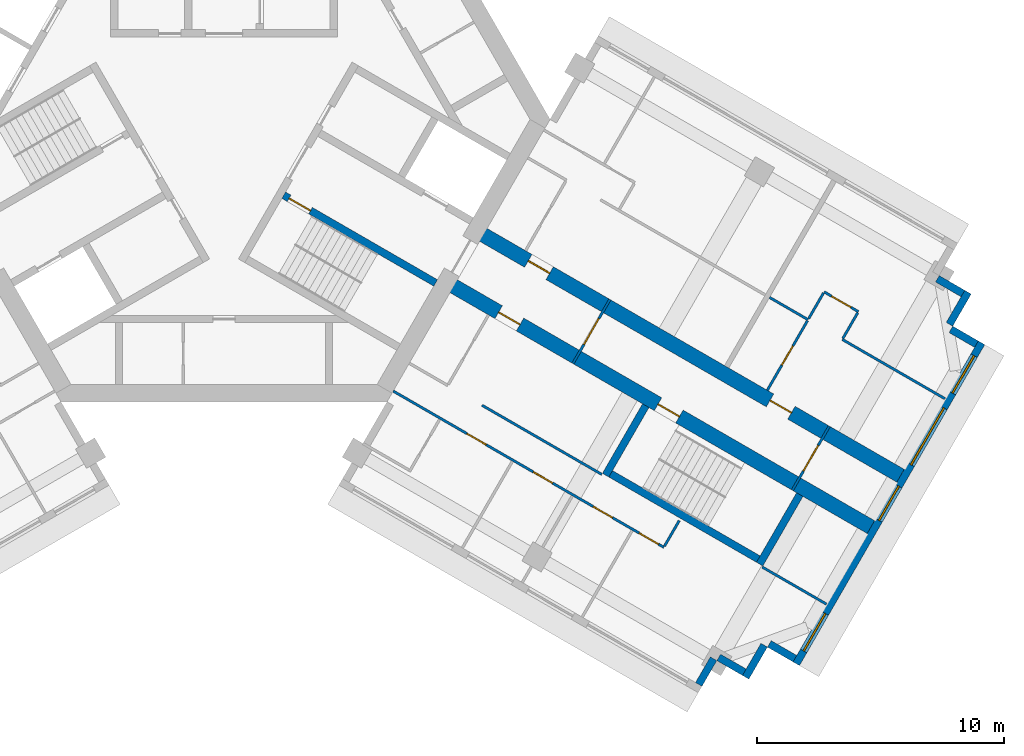
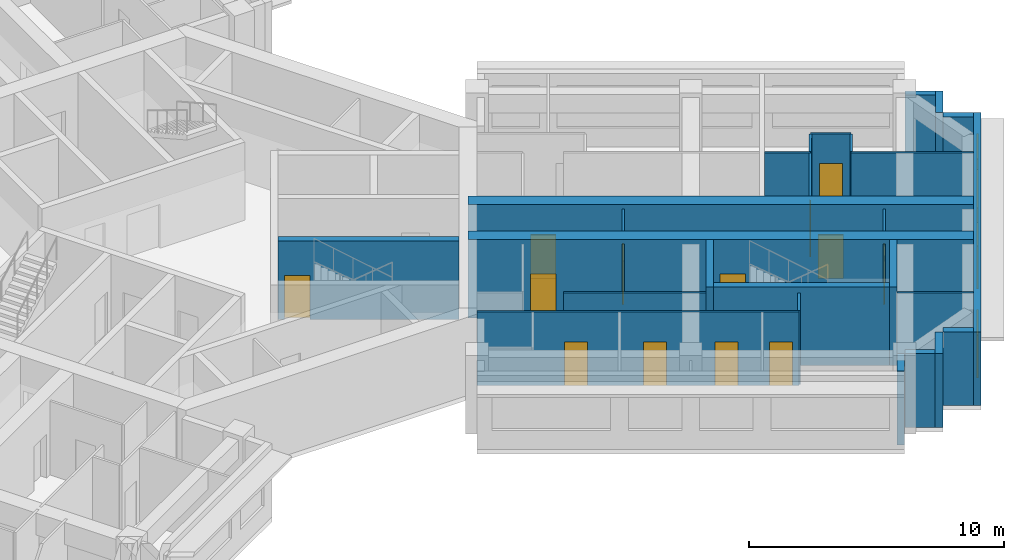
# One storey, part 5 of 10: 26 walls, 13 doors, 4 windows, 17 openings.
"""IFC4 building model written with IfcOpenShell, lengths in metres."""

import ifcopenshell
import ifcopenshell.guid

model = None  # the IFC model being written
_history = None  # IfcOwnerHistory: only IFC2X3 demands one
_inside = {}  # id of a spatial element -> (the spatial element, [elements in it])
_under = {}  # id of a project, library or spatial element -> (it, [spatial elements below it])
_declared = {}  # id of a project -> (the project, [libraries it declares])
_typed = {}  # id of a type object -> (the type object, [elements of that type])
_made_of = {}  # id of a material, layer set ... -> (it, [elements and type objects made of it])


def new_model(schema):
    """Start an empty IFC model of exactly this schema.

    Asked for "IFC4X3", IfcOpenShell would pick the latest addendum, in which some entities
    have other attributes; the version numbers below select the first issue.
    IFC2X3 requires an IfcOwnerHistory on every rooted entity: one is made here for all.
    """
    global model, _history
    if schema == "IFC4X3":
        model = ifcopenshell.file(schema_version=(4, 3, 0, 0))
    else:
        model = ifcopenshell.file(schema=schema)
    _inside.clear()
    _under.clear()
    _declared.clear()
    _typed.clear()
    _made_of.clear()
    _history = None
    if model.schema == "IFC2X3":
        org = make("IfcOrganization", Name="unknown")
        user = make(
            "IfcPersonAndOrganization",
            ThePerson=make("IfcPerson", FamilyName="unknown"),
            TheOrganization=org,
        )
        app = make(
            "IfcApplication",
            ApplicationDeveloper=org,
            Version="unknown",
            ApplicationFullName="unknown",
            ApplicationIdentifier="unknown",
        )
        _history = make(
            "IfcOwnerHistory",
            OwningUser=user,
            OwningApplication=app,
            ChangeAction="ADDED",
            CreationDate=0,
        )
    return model


def make(cls, **values):
    """One entity of the class cls with the attributes given. An attribute that is None is left unset."""
    return model.create_entity(
        cls, **{name: value for name, value in values.items() if value is not None}
    )


def rooted(cls, **values):
    """An entity with a GlobalId (a new one), such as an element, a storey or a relation."""
    return make(cls, GlobalId=ifcopenshell.guid.new(), OwnerHistory=_history, **values)


def si_unit(unit_type, name, prefix=None):
    """IfcSIUnit, for example si_unit("LENGTHUNIT", "METRE", prefix="MILLI")."""
    return make("IfcSIUnit", UnitType=unit_type, Prefix=prefix, Name=name)


def assignment(units):
    """IfcUnitAssignment: the units of a project."""
    return None if units is None else make("IfcUnitAssignment", Units=units)


def point(xyz):
    """IfcCartesianPoint."""
    return None if xyz is None else make("IfcCartesianPoint", Coordinates=xyz)


def direction(xyz):
    """IfcDirection."""
    return None if xyz is None else make("IfcDirection", DirectionRatios=xyz)


def frame(location, z_axis=None, x_axis=None):
    """IfcAxis2Placement3D, a coordinate frame: its origin and axes. An axis left out is left unset."""
    return make(
        "IfcAxis2Placement3D",
        Location=point(location),
        Axis=direction(z_axis),
        RefDirection=direction(x_axis),
    )


def frame_2d(location, x_axis=None):
    """IfcAxis2Placement2D, a coordinate frame in the plane: its origin and x axis."""
    return make(
        "IfcAxis2Placement2D", Location=point(location), RefDirection=direction(x_axis)
    )


def origin():
    """The frame at (0, 0, 0) with its axes left unset."""
    return frame((0.0, 0.0, 0.0))


def place(relative_to, where):
    """IfcLocalPlacement: puts the frame where relative to a parent placement (None: the world)."""
    return make(
        "IfcLocalPlacement", PlacementRelTo=relative_to, RelativePlacement=where
    )


def context(
    kind, dimensions, precision=None, world=None, true_north=None, identifier=None
):
    """IfcGeometricRepresentationContext, for example the 3D "Model" context."""
    return make(
        "IfcGeometricRepresentationContext",
        ContextIdentifier=identifier,
        ContextType=kind,
        CoordinateSpaceDimension=dimensions,
        Precision=precision,
        WorldCoordinateSystem=world,
        TrueNorth=true_north,
    )


def subcontext(parent, identifier, kind, view, scale=None):
    """IfcGeometricRepresentationSubContext, for example "Body" below "Model"."""
    return make(
        "IfcGeometricRepresentationSubContext",
        ContextIdentifier=identifier,
        ContextType=kind,
        ParentContext=parent,
        TargetScale=scale,
        TargetView=view,
    )


def project(units=None, contexts=None):
    """IfcProject with its units and contexts."""
    return rooted(
        "IfcProject",
        Name="project",
        RepresentationContexts=contexts,
        UnitsInContext=assignment(units),
    )


def spatial(cls, under=None, at=None, **own):
    """A site, building, storey or space (cls), placed at a placement, below another one or the project."""
    s = rooted(cls, ObjectPlacement=at, **own)
    if under is not None:
        _under.setdefault(under.id(), (under, []))[1].append(s)
    return s


def profile(cls, at=None, kind="AREA", **sizes):
    """A parametric profile (cls). Its sizes go by their IFC names, for example OverallWidth=200.0."""
    return make(cls, ProfileType=kind, Position=at, **sizes)


def rectangle(**sizes):
    """IfcRectangleProfileDef."""
    return profile("IfcRectangleProfileDef", **sizes)


def extrude(swept, where, along, depth):
    """IfcExtrudedAreaSolid: the profile swept, set in the frame where, extruded along a direction by depth."""
    return make(
        "IfcExtrudedAreaSolid",
        SweptArea=swept,
        Position=where,
        ExtrudedDirection=direction(along),
        Depth=depth,
    )


def shape(context_of_items, identifier, shape_type, items):
    """IfcShapeRepresentation: the items that make up one representation, for example the "Body"."""
    return make(
        "IfcShapeRepresentation",
        ContextOfItems=context_of_items,
        RepresentationIdentifier=identifier,
        RepresentationType=shape_type,
        Items=items,
    )


def material(Name=None, Category=None):
    """IfcMaterial."""
    return make("IfcMaterial", Name=Name, Category=Category)


def layer(
    of_material, thickness, ventilated=None, Name=None, Category=None, Priority=None
):
    """IfcMaterialLayer: one layer of a wall or slab, of a material (None: an air gap)."""
    return make(
        "IfcMaterialLayer",
        Material=of_material,
        LayerThickness=thickness,
        IsVentilated=ventilated,
        Name=Name,
        Category=Category,
        Priority=Priority,
    )


def layer_set(layers, Name=None):
    """IfcMaterialLayerSet."""
    return make("IfcMaterialLayerSet", MaterialLayers=layers, LayerSetName=Name)


def made_of(thing, what):
    """Note that an element or type object is made of a material, layer set ...; save() writes the relation."""
    if what is not None:
        _made_of.setdefault(what.id(), (what, []))[1].append(thing)
    return thing


def type_object(cls, material=None, **own):
    """A type object (cls), such as IfcWallType, which elements share."""
    return made_of(rooted(cls, **own), material)


def element(
    cls,
    number,
    at=None,
    inside=None,
    cuts=None,
    type_object=None,
    material=None,
    context=None,
    identifier="Body",
    shape_type=None,
    held_by="IfcProductDefinitionShape",
    body=None,
    shapes=None,
    **own,
):
    """One element of the class cls, such as IfcWall. Its Tag is "e" and its number.

    at: its placement. inside: the storey or other place that contains it. cuts: it is an
    opening in that element (IfcRelVoidsElement). A single representation is given by context,
    identifier, shape_type and body (its items); several are given by shapes. held_by: the class
    of the entity that holds the representations. save() writes the other relations.
    """
    e = rooted(cls, Tag="e%d" % number, ObjectPlacement=at, **own)
    if body is not None:
        shapes = [shape(context, identifier, shape_type, body)]
    if shapes is not None:
        e.Representation = make(held_by, Representations=shapes)
    if inside is not None:
        _inside.setdefault(inside.id(), (inside, []))[1].append(e)
    if cuts is not None:
        rooted(
            "IfcRelVoidsElement", RelatingBuildingElement=cuts, RelatedOpeningElement=e
        )
    if type_object is not None:
        _typed.setdefault(type_object.id(), (type_object, []))[1].append(e)
    return made_of(e, material)


def fill(opening, filler):
    """IfcRelFillsElement: the door or window that sits in an opening."""
    return rooted(
        "IfcRelFillsElement",
        RelatingOpeningElement=opening,
        RelatedBuildingElement=filler,
    )


def aggregate(whole, parts):
    """IfcRelAggregates: a whole, such as a stair, and the parts it consists of."""
    return rooted("IfcRelAggregates", RelatingObject=whole, RelatedObjects=parts)


def save(model, path):
    """Write the relations noted so far, then the file.

    IfcRelAggregates (storeys below a building ...), IfcRelContainedInSpatialStructure (elements
    in a storey), IfcRelDefinesByType, IfcRelAssociatesMaterial and IfcRelDeclares: one each for
    every whole, place, type object, material and project.
    """
    for whole, parts in _under.values():
        aggregate(whole, parts)
    for where, things in _inside.values():
        rooted(
            "IfcRelContainedInSpatialStructure",
            RelatedElements=things,
            RelatingStructure=where,
        )
    for kind, things in _typed.values():
        rooted("IfcRelDefinesByType", RelatedObjects=things, RelatingType=kind)
    for what, things in _made_of.values():
        rooted("IfcRelAssociatesMaterial", RelatedObjects=things, RelatingMaterial=what)
    for by, libraries in _declared.values():
        rooted("IfcRelDeclares", RelatingContext=by, RelatedDefinitions=libraries)
    model.write(path)


model = new_model("IFC4")

# Units and contexts
model_context = context("Model", 3, precision=1e-05, world=origin(), true_north=direction((0.0, 1.0)))
body_context = subcontext(model_context, "Body", "Model", "MODEL_VIEW")
ifc_project = project(units=[si_unit("LENGTHUNIT", "METRE"), si_unit("AREAUNIT", "SQUARE_METRE"), si_unit("VOLUMEUNIT", "CUBIC_METRE"), si_unit("PLANEANGLEUNIT", "RADIAN"), si_unit("MASSUNIT", "GRAM", prefix="KILO")], contexts=[model_context])

# Site, building, storey
site_placement = place(None, origin())
site = spatial("IfcSite", under=ifc_project, at=site_placement, CompositionType="ELEMENT")
building_placement = place(site_placement, origin())
building = spatial("IfcBuilding", under=site, at=building_placement, Name="Impinga Residences", CompositionType="ELEMENT")
storey_placement = place(building_placement, frame((0.0, 0.0, 252.25)))
storey = spatial("IfcBuildingStorey", under=building, at=storey_placement, Name="L63", CompositionType="ELEMENT", Elevation=252.25)

# Wall, openings, doors
ifc_material_1 = material(Name="Concrete C60/75", Category="concrete")
ifc_layer_1 = layer(ifc_material_1, 0.60009765625)
ifc_layer_set_1 = layer_set([ifc_layer_1], Name="Concrete C60/75")
wall_type_1 = type_object("IfcWallType", Name="BW3 corridor buttress wall, L46 to L73 600", PredefinedType="SHEAR", material=ifc_layer_set_1)
wall_1_placement = place(storey_placement, frame((10.19677734375, -4.50146484375, 0.0), z_axis=(0.0, 0.0, 1.0), x_axis=(0.866025214745, -0.500000327426, 0.0)))
wall_1 = element("IfcWall", 1, at=wall_1_placement, inside=storey, type_object=wall_type_1, Name="Corridor wall BW3 EC L63", PredefinedType="SHEAR", context=body_context, shape_type="SweptSolid", body=[
    extrude(rectangle(XDim=19.85009765625, YDim=0.60009765625, at=frame_2d((9.925048828125, 0.0))), origin(), (0.0, 0.0, 1.0), 3.75),
])
opening_1_placement = place(wall_1_placement, frame((2.449951171875, 0.0, 0.0)))
opening_1 = element("IfcOpeningElement", 2, at=opening_1_placement, cuts=wall_1, Name="Opening D1", PredefinedType="OPENING", context=body_context, shape_type="SweptSolid", body=[
    extrude(rectangle(XDim=1.0, YDim=2.10009765625, at=frame_2d((0.5, 1.050048828125))), frame((0.0, 0.31005859375, 0.0), z_axis=(0.0, -1.0, 0.0), x_axis=(1.0, 0.0, 0.0)), (0.0, 0.0, 1.0), 0.6201171875),
])
opening_2_placement = place(wall_1_placement, frame((13.75, 0.0, 0.0)))
opening_2 = element("IfcOpeningElement", 3, at=opening_2_placement, cuts=wall_1, Name="Opening D1", PredefinedType="OPENING", context=body_context, shape_type="SweptSolid", body=[
    extrude(rectangle(XDim=1.0, YDim=2.10009765625, at=frame_2d((0.5, 1.050048828125))), frame((0.0, 0.31005859375, 0.0), z_axis=(0.0, -1.0, 0.0), x_axis=(1.0, 0.0, 0.0)), (0.0, 0.0, 1.0), 0.6201171875),
])
ifc_material_2 = material(Name="Timber door set", Category="wood")
door_type_1 = type_object("IfcDoorType", Name="D1 apartment entrance door 1000x2100", OperationType="SINGLE_SWING_LEFT", PredefinedType="DOOR", material=ifc_material_2)
door_1_placement = place(opening_1_placement, origin())
door_1 = element("IfcDoor", 4, at=door_1_placement, inside=storey, type_object=door_type_1, Name="Apartment L63-EA1 entrance", OperationType="SINGLE_SWING_LEFT", OverallHeight=2.10009765625, OverallWidth=1.0, PredefinedType="DOOR", context=body_context, shape_type="SweptSolid", body=[
    extrude(rectangle(XDim=1.0, YDim=2.10009765625, at=frame_2d((0.5, 1.050048828125))), frame((0.0, 0.02490234375, 0.0), z_axis=(0.0, -1.0, 0.0), x_axis=(1.0, 0.0, 0.0)), (0.0, 0.0, 1.0), 0.050048828125),
])
fill(opening_1, door_1)
door_2_placement = place(opening_2_placement, origin())
door_2 = element("IfcDoor", 5, at=door_2_placement, inside=storey, type_object=door_type_1, Name="Apartment L63-EA2 entrance", OperationType="SINGLE_SWING_RIGHT", OverallHeight=2.10009765625, OverallWidth=1.0, PredefinedType="DOOR", context=body_context, shape_type="SweptSolid", body=[
    extrude(rectangle(XDim=1.0, YDim=2.10009765625, at=frame_2d((0.5, 1.050048828125))), frame((0.0, 0.02490234375, 0.0), z_axis=(0.0, -1.0, 0.0), x_axis=(1.0, 0.0, 0.0)), (0.0, 0.0, 1.0), 0.050048828125),
])
fill(opening_2, door_2)

wall_2_placement = place(storey_placement, frame((8.996826171875, -6.580078125, 0.0), z_axis=(0.0, 0.0, 1.0), x_axis=(0.866030540451, -0.499991102927, 0.0)))
wall_2 = element("IfcWall", 6, at=wall_2_placement, inside=storey, type_object=wall_type_1, Name="Corridor wall BW3 ED L63", PredefinedType="SHEAR", context=body_context, shape_type="SweptSolid", body=[
    extrude(rectangle(XDim=19.849853515625, YDim=0.60009765625, at=frame_2d((9.9248046875, 0.0))), origin(), (0.0, 0.0, 1.0), 3.75),
])
opening_3_placement = place(wall_2_placement, frame((9.89990234375, 0.0, 0.0)))
opening_3 = element("IfcOpeningElement", 7, at=opening_3_placement, cuts=wall_2, Name="Opening D5", PredefinedType="OPENING", context=body_context, shape_type="SweptSolid", body=[
    extrude(rectangle(XDim=1.0, YDim=2.10009765625, at=frame_2d((0.5, 1.050048828125))), frame((0.0, 0.31005859375, 0.0), z_axis=(0.0, -1.0, 0.0), x_axis=(1.0, 0.0, 0.0)), (0.0, 0.0, 1.0), 0.6201171875),
])
opening_4_placement = place(wall_2_placement, frame((2.449951171875, 0.0, 0.0)))
opening_4 = element("IfcOpeningElement", 8, at=opening_4_placement, cuts=wall_2, Name="Opening D1", PredefinedType="OPENING", context=body_context, shape_type="SweptSolid", body=[
    extrude(rectangle(XDim=1.0, YDim=2.10009765625, at=frame_2d((0.5, 1.050048828125))), frame((0.0, 0.31005859375, 0.0), z_axis=(0.0, -1.0, 0.0), x_axis=(1.0, 0.0, 0.0)), (0.0, 0.0, 1.0), 0.6201171875),
])
door_3_placement = place(opening_4_placement, origin())
door_3 = element("IfcDoor", 9, at=door_3_placement, inside=storey, type_object=door_type_1, Name="Apartment L63-EF1 entrance", OperationType="SINGLE_SWING_LEFT", OverallHeight=2.10009765625, OverallWidth=1.0, PredefinedType="DOOR", context=body_context, shape_type="SweptSolid", body=[
    extrude(rectangle(XDim=1.0, YDim=2.10009765625, at=frame_2d((0.5, 1.050048828125))), frame((0.0, 0.02490234375, 0.0), z_axis=(0.0, -1.0, 0.0), x_axis=(1.0, 0.0, 0.0)), (0.0, 0.0, 1.0), 0.050048828125),
])
fill(opening_4, door_3)
door_type_2 = type_object("IfcDoorType", Name="D5 stair door 1000x2100", OperationType="SINGLE_SWING_LEFT", PredefinedType="DOOR", material=ifc_material_2)
door_4_placement = place(opening_3_placement, origin())
door_4 = element("IfcDoor", 10, at=door_4_placement, inside=storey, type_object=door_type_2, Name="Wing stair door E", OperationType="SINGLE_SWING_RIGHT", OverallHeight=2.10009765625, OverallWidth=1.0, PredefinedType="DOOR", context=body_context, shape_type="SweptSolid", body=[
    extrude(rectangle(XDim=1.0, YDim=2.10009765625, at=frame_2d((0.5, 1.050048828125))), frame((0.0, 0.02490234375, 0.0), z_axis=(0.0, -1.0, 0.0), x_axis=(1.0, 0.0, 0.0)), (0.0, 0.0, 1.0), 0.050048828125),
])
fill(opening_3, door_4)

# Wall, opening, door
ifc_material_3 = material(Name="Concrete blockwork", Category="masonry")
ifc_layer_2 = layer(ifc_material_3, 0.10009765625)
ifc_layer_set_2 = layer_set([ifc_layer_2], Name="CP1 core room partition, blockwork 100")
wall_type_2 = type_object("IfcWallType", Name="CP1 core room partition, blockwork 100", PredefinedType="PARTITIONING", material=ifc_layer_set_2)
wall_3_placement = place(storey_placement, frame((24.50634765625, -12.416748046875, 0.0), z_axis=(0.0, 0.0, 1.0), x_axis=(-0.499990139034, -0.866031096941, 0.0)))
wall_3 = element("IfcWall", 11, at=wall_3_placement, inside=storey, type_object=wall_type_2, Name="Core room partition, blockwork L63:E:LNG", PredefinedType="PARTITIONING", context=body_context, shape_type="SweptSolid", body=[
    extrude(rectangle(XDim=3.0, YDim=0.10009765625, at=frame_2d((1.5, 0.0))), origin(), (0.0, 0.0, 1.0), 3.530029296875),
])
opening_5_placement = place(wall_3_placement, frame((0.89990234375, 0.0, 0.0)))
opening_5 = element("IfcOpeningElement", 12, at=opening_5_placement, cuts=wall_3, Name="Opening D3", PredefinedType="OPENING", context=body_context, shape_type="SweptSolid", body=[
    extrude(rectangle(XDim=1.199951171875, YDim=2.10009765625, at=frame_2d((0.60009765625, 1.050048828125))), frame((0.0, 0.06005859375, 0.0), z_axis=(0.0, -1.0, 0.0), x_axis=(1.0, 0.0, 0.0)), (0.0, 0.0, 1.0), 0.1201171875),
])
door_type_3 = type_object("IfcDoorType", Name="D3 room door, leaf and a half 1200x2100", OperationType="DOUBLE_SWING_LEFT", PredefinedType="DOOR", material=ifc_material_2)
door_5_placement = place(opening_5_placement, origin())
door_5 = element("IfcDoor", 13, at=door_5_placement, inside=storey, type_object=door_type_3, Name="Residents' lounge door E", OperationType="DOUBLE_SWING_LEFT", OverallHeight=2.10009765625, OverallWidth=1.199951171875, PredefinedType="DOOR", context=body_context, shape_type="SweptSolid", body=[
    extrude(rectangle(XDim=1.199951171875, YDim=2.10009765625, at=frame_2d((0.60009765625, 1.050048828125))), frame((0.0, 0.02490234375, 0.0), z_axis=(0.0, -1.0, 0.0), x_axis=(1.0, 0.0, 0.0)), (0.0, 0.0, 1.0), 0.050048828125),
])
fill(opening_5, door_5)

wall_4_placement = place(storey_placement, frame((15.623046875, -7.287841796875, 0.0), z_axis=(0.0, 0.0, 1.0), x_axis=(-0.499990139034, -0.866031096941, 0.0)))
wall_4 = element("IfcWall", 14, at=wall_4_placement, inside=storey, type_object=wall_type_2, Name="Core room partition, blockwork L63:E:SCR", PredefinedType="PARTITIONING", context=body_context, shape_type="SweptSolid", body=[
    extrude(rectangle(XDim=3.0, YDim=0.10009765625, at=frame_2d((1.5, 0.0))), origin(), (0.0, 0.0, 1.0), 3.530029296875),
])
opening_6_placement = place(wall_4_placement, frame((0.89990234375, 0.0, 0.0)))
opening_6 = element("IfcOpeningElement", 15, at=opening_6_placement, cuts=wall_4, Name="Opening D3", PredefinedType="OPENING", context=body_context, shape_type="SweptSolid", body=[
    extrude(rectangle(XDim=1.199951171875, YDim=2.10009765625, at=frame_2d((0.60009765625, 1.050048828125))), frame((0.0, 0.06005859375, 0.0), z_axis=(0.0, -1.0, 0.0), x_axis=(1.0, 0.0, 0.0)), (0.0, 0.0, 1.0), 0.1201171875),
])
door_6_placement = place(opening_6_placement, origin())
door_6 = element("IfcDoor", 16, at=door_6_placement, inside=storey, type_object=door_type_3, Name="Corridor smoke door E", OperationType="DOUBLE_SWING_LEFT", OverallHeight=2.10009765625, OverallWidth=1.199951171875, PredefinedType="DOOR", context=body_context, shape_type="SweptSolid", body=[
    extrude(rectangle(XDim=1.199951171875, YDim=2.10009765625, at=frame_2d((0.60009765625, 1.050048828125))), frame((0.0, 0.02490234375, 0.0), z_axis=(0.0, -1.0, 0.0), x_axis=(1.0, 0.0, 0.0)), (0.0, 0.0, 1.0), 0.050048828125),
])
fill(opening_6, door_6)

# Walls
ifc_material_4 = material(Name="Terracotta rainscreen on blockwork", Category="masonry")
ifc_layer_3 = layer(ifc_material_4, 0.300048828125)
ifc_layer_set_3 = layer_set([ifc_layer_3], Name="EW1 external wall, terracotta rainscreen on blockwork 300")
wall_type_3 = type_object("IfcWallType", Name="EW1 external wall, terracotta rainscreen on blockwork 300", PredefinedType="SOLIDWALL", material=ifc_layer_set_3)
wall_5_placement = place(storey_placement, frame((28.878662109375, -6.453857421875, 0.0), z_axis=(0.0, 0.0, 1.0), x_axis=(0.865971243484, -0.500093796661, 0.0)))
element("IfcWall", 17, at=wall_5_placement, inside=storey, type_object=wall_type_3, Name="External wall EW1 L63", PredefinedType="SOLIDWALL", context=body_context, shape_type="SweptSolid", body=[
    extrude(rectangle(XDim=1.195068359375, YDim=0.300048828125, at=frame_2d((0.59765625, 0.0))), origin(), (0.0, 0.0, 1.0), 3.530029296875),
])
wall_6_placement = place(storey_placement, frame((30.118408203125, -6.99658203125, 0.0), z_axis=(0.0, 0.0, 1.0), x_axis=(-0.499990139034, -0.866031096941, 0.0)))
element("IfcWall", 18, at=wall_6_placement, inside=storey, type_object=wall_type_3, Name="External wall EW1 L63", PredefinedType="SOLIDWALL", context=body_context, shape_type="SweptSolid", body=[
    extrude(rectangle(XDim=1.5, YDim=0.300048828125, at=frame_2d((0.75, 0.0))), origin(), (0.0, 0.0, 1.0), 3.530029296875),
])
wall_7_placement = place(storey_placement, frame((29.427490234375, -8.5029296875, 0.0), z_axis=(0.0, 0.0, 1.0), x_axis=(0.865971243484, -0.500093796661, 0.0)))
element("IfcWall", 19, at=wall_7_placement, inside=storey, type_object=wall_type_3, Name="External wall EW1 L63", PredefinedType="SOLIDWALL", context=body_context, shape_type="SweptSolid", body=[
    extrude(rectangle(XDim=1.195068359375, YDim=0.300048828125, at=frame_2d((0.59765625, 0.0))), origin(), (0.0, 0.0, 1.0), 3.530029296875),
])

# Wall, openings, windows
wall_8_placement = place(storey_placement, frame((30.66748046875, -9.045654296875, 0.0), z_axis=(0.0, 0.0, 1.0), x_axis=(-0.500004234368, -0.866022959057, 0.0)))
wall_8 = element("IfcWall", 20, at=wall_8_placement, inside=storey, type_object=wall_type_3, Name="External wall EW1 L63", PredefinedType="SOLIDWALL", context=body_context, shape_type="SweptSolid", body=[
    extrude(rectangle(XDim=14.999755859375, YDim=0.300048828125, at=frame_2d((7.5, 0.0))), origin(), (0.0, 0.0, 1.0), 3.530029296875),
])
opening_7_placement = place(wall_8_placement, frame((0.60009765625, 0.0, 0.89990234375)))
opening_7 = element("IfcOpeningElement", 21, at=opening_7_placement, cuts=wall_8, Name="Opening W1", PredefinedType="OPENING", context=body_context, shape_type="SweptSolid", body=[
    extrude(rectangle(XDim=1.75, YDim=2.050048828125, at=frame_2d((0.875, 1.02490234375))), frame((0.0, 0.159912109375, 0.0), z_axis=(0.0, -1.0, 0.0), x_axis=(1.0, 0.0, 0.0)), (0.0, 0.0, 1.0), 0.320068359375),
])
opening_8_placement = place(wall_8_placement, frame((3.050048828125, 0.0, 0.89990234375)))
opening_8 = element("IfcOpeningElement", 22, at=opening_8_placement, cuts=wall_8, Name="Opening W18", PredefinedType="OPENING", context=body_context, shape_type="SweptSolid", body=[
    extrude(rectangle(XDim=2.64990234375, YDim=2.050048828125, at=frame_2d((1.324951171875, 1.02490234375))), frame((0.0, 0.159912109375, 0.0), z_axis=(0.0, -1.0, 0.0), x_axis=(1.0, 0.0, 0.0)), (0.0, 0.0, 1.0), 0.320068359375),
])
opening_9_placement = place(wall_8_placement, frame((6.699951171875, 0.0, 0.89990234375)))
opening_9 = element("IfcOpeningElement", 23, at=opening_9_placement, cuts=wall_8, Name="Opening W19", PredefinedType="OPENING", context=body_context, shape_type="SweptSolid", body=[
    extrude(rectangle(XDim=1.60009765625, YDim=2.050048828125, at=frame_2d((0.800048828125, 1.02490234375))), frame((0.0, 0.159912109375, 0.0), z_axis=(0.0, -1.0, 0.0), x_axis=(1.0, 0.0, 0.0)), (0.0, 0.0, 1.0), 0.320068359375),
])
opening_10_placement = place(wall_8_placement, frame((12.64990234375, 0.0, 0.89990234375)))
opening_10 = element("IfcOpeningElement", 24, at=opening_10_placement, cuts=wall_8, Name="Opening W1", PredefinedType="OPENING", context=body_context, shape_type="SweptSolid", body=[
    extrude(rectangle(XDim=1.75, YDim=2.050048828125, at=frame_2d((0.875, 1.02490234375))), frame((0.0, 0.159912109375, 0.0), z_axis=(0.0, -1.0, 0.0), x_axis=(1.0, 0.0, 0.0)), (0.0, 0.0, 1.0), 0.320068359375),
])
ifc_material_5 = material(Name="Aluminium window, clear double glazing", Category="aluminium")
window_type_1 = type_object("IfcWindowType", Name="W1 ribbon window 1750x2050", PartitioningType="SINGLE_PANEL", PredefinedType="WINDOW", material=ifc_material_5)
window_1_placement = place(opening_7_placement, origin())
window_1 = element("IfcWindow", 25, at=window_1_placement, inside=storey, type_object=window_type_1, Name="Window L63", OverallHeight=2.050048828125, OverallWidth=1.75, PartitioningType="SINGLE_PANEL", PredefinedType="WINDOW", context=body_context, shape_type="SweptSolid", body=[
    extrude(rectangle(XDim=1.75, YDim=2.050048828125, at=frame_2d((0.875, 1.02490234375))), frame((0.0, 0.030029296875, 0.0), z_axis=(0.0, -1.0, 0.0), x_axis=(1.0, 0.0, 0.0)), (0.0, 0.0, 1.0), 0.06005859375),
])
fill(opening_7, window_1)
window_2_placement = place(opening_10_placement, origin())
window_2 = element("IfcWindow", 26, at=window_2_placement, inside=storey, type_object=window_type_1, Name="Window L63", OverallHeight=2.050048828125, OverallWidth=1.75, PartitioningType="SINGLE_PANEL", PredefinedType="WINDOW", context=body_context, shape_type="SweptSolid", body=[
    extrude(rectangle(XDim=1.75, YDim=2.050048828125, at=frame_2d((0.875, 1.02490234375))), frame((0.0, 0.030029296875, 0.0), z_axis=(0.0, -1.0, 0.0), x_axis=(1.0, 0.0, 0.0)), (0.0, 0.0, 1.0), 0.06005859375),
])
fill(opening_10, window_2)
window_type_2 = type_object("IfcWindowType", Name="W18 ribbon window 2650x2050", PartitioningType="SINGLE_PANEL", PredefinedType="WINDOW", material=ifc_material_5)
window_3_placement = place(opening_8_placement, origin())
window_3 = element("IfcWindow", 27, at=window_3_placement, inside=storey, type_object=window_type_2, Name="Window L63", OverallHeight=2.050048828125, OverallWidth=2.64990234375, PartitioningType="SINGLE_PANEL", PredefinedType="WINDOW", context=body_context, shape_type="SweptSolid", body=[
    extrude(rectangle(XDim=2.64990234375, YDim=2.050048828125, at=frame_2d((1.324951171875, 1.02490234375))), frame((0.0, 0.030029296875, 0.0), z_axis=(0.0, -1.0, 0.0), x_axis=(1.0, 0.0, 0.0)), (0.0, 0.0, 1.0), 0.06005859375),
])
fill(opening_8, window_3)
window_type_3 = type_object("IfcWindowType", Name="W19 ribbon window 1600x2050", PartitioningType="SINGLE_PANEL", PredefinedType="WINDOW", material=ifc_material_5)
window_4_placement = place(opening_9_placement, origin())
window_4 = element("IfcWindow", 28, at=window_4_placement, inside=storey, type_object=window_type_3, Name="Window L63", OverallHeight=2.050048828125, OverallWidth=1.60009765625, PartitioningType="SINGLE_PANEL", PredefinedType="WINDOW", context=body_context, shape_type="SweptSolid", body=[
    extrude(rectangle(XDim=1.60009765625, YDim=2.050048828125, at=frame_2d((0.800048828125, 1.02490234375))), frame((0.0, 0.030029296875, 0.0), z_axis=(0.0, -1.0, 0.0), x_axis=(1.0, 0.0, 0.0)), (0.0, 0.0, 1.0), 0.06005859375),
])
fill(opening_9, window_4)

# Walls
wall_9_placement = place(storey_placement, frame((23.112548828125, -21.8310546875, 0.0), z_axis=(0.0, 0.0, 1.0), x_axis=(-0.866059708757, 0.499940577336, 0.0)))
element("IfcWall", 29, at=wall_9_placement, inside=storey, type_object=wall_type_3, Name="External wall EW1 L63", PredefinedType="SOLIDWALL", context=body_context, shape_type="SweptSolid", body=[
    extrude(rectangle(XDim=1.195068359375, YDim=0.300048828125, at=frame_2d((0.59765625, 0.0))), origin(), (0.0, 0.0, 1.0), 3.530029296875),
])
wall_10_placement = place(storey_placement, frame((21.868408203125, -21.285888671875, 0.0), z_axis=(0.0, 0.0, 1.0), x_axis=(-0.499990139034, -0.866031096941, 0.0)))
element("IfcWall", 30, at=wall_10_placement, inside=storey, type_object=wall_type_3, Name="External wall EW1 L63", PredefinedType="SOLIDWALL", context=body_context, shape_type="SweptSolid", body=[
    extrude(rectangle(XDim=1.5, YDim=0.300048828125, at=frame_2d((0.75, 0.0))), origin(), (0.0, 0.0, 1.0), 3.530029296875),
])
wall_11_placement = place(storey_placement, frame((21.0634765625, -22.380126953125, 0.0), z_axis=(0.0, 0.0, 1.0), x_axis=(-0.865971243484, 0.500093796661, 0.0)))
element("IfcWall", 31, at=wall_11_placement, inside=storey, type_object=wall_type_3, Name="External wall EW1 L63", PredefinedType="SOLIDWALL", context=body_context, shape_type="SweptSolid", body=[
    extrude(rectangle(XDim=1.195068359375, YDim=0.300048828125, at=frame_2d((0.59765625, 0.0))), origin(), (0.0, 0.0, 1.0), 3.530029296875),
])
wall_12_placement = place(storey_placement, frame((19.8193359375, -21.8349609375, 0.0), z_axis=(0.0, 0.0, 1.0), x_axis=(-0.500033551112, -0.866006032174, 0.0)))
element("IfcWall", 32, at=wall_12_placement, inside=storey, type_object=wall_type_3, Name="External wall EW1 L63", PredefinedType="SOLIDWALL", context=body_context, shape_type="SweptSolid", body=[
    extrude(rectangle(XDim=1.2001953125, YDim=0.300048828125, at=frame_2d((0.60009765625, 0.0))), origin(), (0.0, 0.0, 1.0), 3.530029296875),
])
ifc_material_6 = material(Name="Gypsum board on steel studs", Category="steel")
ifc_layer_4 = layer(ifc_material_6, 0.10009765625)
ifc_layer_set_4 = layer_set([ifc_layer_4], Name="Gypsum board on steel studs")
wall_type_4 = type_object("IfcWallType", Name="IP1 partition 100", PredefinedType="PARTITIONING", material=ifc_layer_set_4)
wall_13_placement = place(storey_placement, frame((22.086181640625, -7.208740234375, 0.0), z_axis=(0.0, 0.0, 1.0), x_axis=(0.865989075817, -0.500062916607, 0.0)))
element("IfcWall", 33, at=wall_13_placement, inside=storey, type_object=wall_type_4, Name="Partition L63-EA2:DIV0", PredefinedType="PARTITIONING", context=body_context, shape_type="SweptSolid", body=[
    extrude(rectangle(XDim=1.800048828125, YDim=0.10009765625, at=frame_2d((0.89990234375, 0.0))), origin(), (0.0, 0.0, 1.0), 3.530029296875),
])
wall_14_placement = place(storey_placement, frame((25.030517578125, -8.908935546875, 0.0), z_axis=(0.0, 0.0, 1.0), x_axis=(0.866037363387, -0.499979284789, 0.0)))
element("IfcWall", 34, at=wall_14_placement, inside=storey, type_object=wall_type_4, Name="Partition L63-EA2:DIV1", PredefinedType="PARTITIONING", context=body_context, shape_type="SweptSolid", body=[
    extrude(rectangle(XDim=4.800048828125, YDim=0.10009765625, at=frame_2d((2.39990234375, 0.0))), origin(), (0.0, 0.0, 1.0), 3.530029296875),
])

# Wall, opening, door
wall_15_placement = place(storey_placement, frame((24.294921875, -6.98291015625, 0.0), z_axis=(0.0, 0.0, 1.0), x_axis=(0.866028054938, -0.499995408039, 0.0)))
wall_15 = element("IfcWall", 35, at=wall_15_placement, inside=storey, type_object=wall_type_4, Name="Partition L63-EA2:STRIP", PredefinedType="PARTITIONING", context=body_context, shape_type="SweptSolid", body=[
    extrude(rectangle(XDim=1.60009765625, YDim=0.10009765625, at=frame_2d((0.800048828125, 0.0))), origin(), (0.0, 0.0, 1.0), 3.530029296875),
])
opening_11_placement = place(wall_15_placement, frame((0.35009765625, 0.0, 0.0)))
opening_11 = element("IfcOpeningElement", 36, at=opening_11_placement, cuts=wall_15, Name="Opening D2", PredefinedType="OPENING", context=body_context, shape_type="SweptSolid", body=[
    extrude(rectangle(XDim=0.89990234375, YDim=2.10009765625, at=frame_2d((0.449951171875, 1.050048828125))), frame((0.0, 0.06005859375, 0.0), z_axis=(0.0, -1.0, 0.0), x_axis=(1.0, 0.0, 0.0)), (0.0, 0.0, 1.0), 0.1201171875),
])
door_type_4 = type_object("IfcDoorType", Name="D2 internal door 900x2100", OperationType="SINGLE_SWING_LEFT", PredefinedType="DOOR", material=ifc_material_2)
door_7_placement = place(opening_11_placement, origin())
door_7 = element("IfcDoor", 37, at=door_7_placement, inside=storey, type_object=door_type_4, Name="Apartment L63-EA2 room door", OperationType="SINGLE_SWING_LEFT", OverallHeight=2.10009765625, OverallWidth=0.89990234375, PredefinedType="DOOR", context=body_context, shape_type="SweptSolid", body=[
    extrude(rectangle(XDim=0.89990234375, YDim=2.10009765625, at=frame_2d((0.449951171875, 1.050048828125))), frame((0.0, 0.02490234375, 0.0), z_axis=(0.0, -1.0, 0.0), x_axis=(1.0, 0.0, 0.0)), (0.0, 0.0, 1.0), 0.050048828125),
])
fill(opening_11, door_7)

# Walls
wall_16_placement = place(storey_placement, frame((23.669921875, -8.0654296875, 0.0), z_axis=(0.0, 0.0, 1.0), x_axis=(0.50012165622, 0.865955154139, 0.0)))
element("IfcWall", 38, at=wall_16_placement, inside=storey, type_object=wall_type_4, Name="Partition L63-EA2:SE0", PredefinedType="PARTITIONING", context=body_context, shape_type="SweptSolid", body=[
    extrude(rectangle(XDim=1.199951171875, YDim=0.10009765625, at=frame_2d((0.60009765625, 0.0))), origin(), (0.0, 0.0, 1.0), 3.530029296875),
])
wall_17_placement = place(storey_placement, frame((25.0556640625, -8.865478515625, 0.0), z_axis=(0.0, 0.0, 1.0), x_axis=(0.499969057507, 0.866043267704, 0.0)))
element("IfcWall", 39, at=wall_17_placement, inside=storey, type_object=wall_type_4, Name="Partition L63-EA2:SE1", PredefinedType="PARTITIONING", context=body_context, shape_type="SweptSolid", body=[
    extrude(rectangle(XDim=1.19970703125, YDim=0.10009765625, at=frame_2d((0.599853515625, 0.0))), origin(), (0.0, 0.0, 1.0), 3.530029296875),
])

# Wall, opening, door
wall_18_placement = place(storey_placement, frame((21.994873046875, -10.966796875, 0.0), z_axis=(0.0, 0.0, 1.0), x_axis=(0.499984717929, 0.866034226713, 0.0)))
wall_18 = element("IfcWall", 40, at=wall_18_placement, inside=storey, type_object=wall_type_4, Name="Partition L63-EA2:IB1", PredefinedType="PARTITIONING", context=body_context, shape_type="SweptSolid", body=[
    extrude(rectangle(XDim=3.25, YDim=0.10009765625, at=frame_2d((1.625, 0.0))), origin(), (0.0, 0.0, 1.0), 3.530029296875),
])
opening_12_placement = place(wall_18_placement, frame((1.175048828125, 0.0, 0.0)))
opening_12 = element("IfcOpeningElement", 41, at=opening_12_placement, cuts=wall_18, Name="Opening D2", PredefinedType="OPENING", context=body_context, shape_type="SweptSolid", body=[
    extrude(rectangle(XDim=0.89990234375, YDim=2.10009765625, at=frame_2d((0.449951171875, 1.050048828125))), frame((0.0, 0.06005859375, 0.0), z_axis=(0.0, -1.0, 0.0), x_axis=(1.0, 0.0, 0.0)), (0.0, 0.0, 1.0), 0.1201171875),
])
door_8_placement = place(opening_12_placement, origin())
door_8 = element("IfcDoor", 42, at=door_8_placement, inside=storey, type_object=door_type_4, Name="Apartment L63-EA2 bathroom door", OperationType="SINGLE_SWING_LEFT", OverallHeight=2.10009765625, OverallWidth=0.89990234375, PredefinedType="DOOR", context=body_context, shape_type="SweptSolid", body=[
    extrude(rectangle(XDim=0.89990234375, YDim=2.10009765625, at=frame_2d((0.449951171875, 1.050048828125))), frame((0.0, 0.02490234375, 0.0), z_axis=(0.0, -1.0, 0.0), x_axis=(1.0, 0.0, 0.0)), (0.0, 0.0, 1.0), 0.050048828125),
])
fill(opening_12, door_8)

# Walls
wall_19_placement = place(storey_placement, frame((10.444580078125, -11.57275390625, 0.0), z_axis=(0.0, 0.0, 1.0), x_axis=(0.866015695474, -0.500016814911, 0.0)))
element("IfcWall", 43, at=wall_19_placement, inside=storey, type_object=wall_type_4, Name="Partition L63-EF1:DIV1", PredefinedType="PARTITIONING", context=body_context, shape_type="SweptSolid", body=[
    extrude(rectangle(XDim=5.599853515625, YDim=0.10009765625, at=frame_2d((2.7998046875, 0.0))), origin(), (0.0, 0.0, 1.0), 3.530029296875),
])
wall_20_placement = place(storey_placement, frame((21.789306640625, -18.122802734375, 0.0), z_axis=(0.0, 0.0, 1.0), x_axis=(0.866031096941, -0.499990139034, 0.0)))
element("IfcWall", 44, at=wall_20_placement, inside=storey, type_object=wall_type_4, Name="Partition L63-EF1:DIV2", PredefinedType="PARTITIONING", context=body_context, shape_type="SweptSolid", body=[
    extrude(rectangle(XDim=3.0, YDim=0.10009765625, at=frame_2d((1.5, 0.0))), origin(), (0.0, 0.0, 1.0), 3.530029296875),
])

# Wall, openings, doors
wall_21_placement = place(storey_placement, frame((6.85009765625, -10.99853515625, 0.0), z_axis=(0.0, 0.0, 1.0), x_axis=(0.866024244478, -0.500002007972, 0.0)))
wall_21 = element("IfcWall", 45, at=wall_21_placement, inside=storey, type_object=wall_type_4, Name="Partition L63-EF1:STRIP", PredefinedType="PARTITIONING", context=body_context, shape_type="SweptSolid", body=[
    extrude(rectangle(XDim=12.64990234375, YDim=0.10009765625, at=frame_2d((6.324951171875, 0.0))), origin(), (0.0, 0.0, 1.0), 3.530029296875),
])
opening_13_placement = place(wall_21_placement, frame((3.449951171875, 0.0, 0.0)))
opening_13 = element("IfcOpeningElement", 46, at=opening_13_placement, cuts=wall_21, Name="Opening D2", PredefinedType="OPENING", context=body_context, shape_type="SweptSolid", body=[
    extrude(rectangle(XDim=0.89990234375, YDim=2.10009765625, at=frame_2d((0.449951171875, 1.050048828125))), frame((0.0, 0.06005859375, 0.0), z_axis=(0.0, -1.0, 0.0), x_axis=(1.0, 0.0, 0.0)), (0.0, 0.0, 1.0), 0.1201171875),
])
opening_14_placement = place(wall_21_placement, frame((6.550048828125, 0.0, 0.0)))
opening_14 = element("IfcOpeningElement", 47, at=opening_14_placement, cuts=wall_21, Name="Opening D2", PredefinedType="OPENING", context=body_context, shape_type="SweptSolid", body=[
    extrude(rectangle(XDim=0.89990234375, YDim=2.10009765625, at=frame_2d((0.449951171875, 1.050048828125))), frame((0.0, 0.06005859375, 0.0), z_axis=(0.0, -1.0, 0.0), x_axis=(1.0, 0.0, 0.0)), (0.0, 0.0, 1.0), 0.1201171875),
])
opening_15_placement = place(wall_21_placement, frame((9.35009765625, 0.0, 0.0)))
opening_15 = element("IfcOpeningElement", 48, at=opening_15_placement, cuts=wall_21, Name="Opening D2", PredefinedType="OPENING", context=body_context, shape_type="SweptSolid", body=[
    extrude(rectangle(XDim=0.89990234375, YDim=2.10009765625, at=frame_2d((0.449951171875, 1.050048828125))), frame((0.0, 0.06005859375, 0.0), z_axis=(0.0, -1.0, 0.0), x_axis=(1.0, 0.0, 0.0)), (0.0, 0.0, 1.0), 0.1201171875),
])
opening_16_placement = place(wall_21_placement, frame((11.5, 0.0, 0.0)))
opening_16 = element("IfcOpeningElement", 49, at=opening_16_placement, cuts=wall_21, Name="Opening D2", PredefinedType="OPENING", context=body_context, shape_type="SweptSolid", body=[
    extrude(rectangle(XDim=0.89990234375, YDim=2.10009765625, at=frame_2d((0.449951171875, 1.050048828125))), frame((0.0, 0.06005859375, 0.0), z_axis=(0.0, -1.0, 0.0), x_axis=(1.0, 0.0, 0.0)), (0.0, 0.0, 1.0), 0.1201171875),
])
door_9_placement = place(opening_13_placement, origin())
door_9 = element("IfcDoor", 50, at=door_9_placement, inside=storey, type_object=door_type_4, Name="Apartment L63-EF1 room door", OperationType="SINGLE_SWING_LEFT", OverallHeight=2.10009765625, OverallWidth=0.89990234375, PredefinedType="DOOR", context=body_context, shape_type="SweptSolid", body=[
    extrude(rectangle(XDim=0.89990234375, YDim=2.10009765625, at=frame_2d((0.449951171875, 1.050048828125))), frame((0.0, 0.02490234375, 0.0), z_axis=(0.0, -1.0, 0.0), x_axis=(1.0, 0.0, 0.0)), (0.0, 0.0, 1.0), 0.050048828125),
])
fill(opening_13, door_9)
door_10_placement = place(opening_14_placement, origin())
door_10 = element("IfcDoor", 51, at=door_10_placement, inside=storey, type_object=door_type_4, Name="Apartment L63-EF1 room door", OperationType="SINGLE_SWING_RIGHT", OverallHeight=2.10009765625, OverallWidth=0.89990234375, PredefinedType="DOOR", context=body_context, shape_type="SweptSolid", body=[
    extrude(rectangle(XDim=0.89990234375, YDim=2.10009765625, at=frame_2d((0.449951171875, 1.050048828125))), frame((0.0, 0.02490234375, 0.0), z_axis=(0.0, -1.0, 0.0), x_axis=(1.0, 0.0, 0.0)), (0.0, 0.0, 1.0), 0.050048828125),
])
fill(opening_14, door_10)
door_11_placement = place(opening_15_placement, origin())
door_11 = element("IfcDoor", 52, at=door_11_placement, inside=storey, type_object=door_type_4, Name="Apartment L63-EF1 room door", OperationType="SINGLE_SWING_RIGHT", OverallHeight=2.10009765625, OverallWidth=0.89990234375, PredefinedType="DOOR", context=body_context, shape_type="SweptSolid", body=[
    extrude(rectangle(XDim=0.89990234375, YDim=2.10009765625, at=frame_2d((0.449951171875, 1.050048828125))), frame((0.0, 0.02490234375, 0.0), z_axis=(0.0, -1.0, 0.0), x_axis=(1.0, 0.0, 0.0)), (0.0, 0.0, 1.0), 0.050048828125),
])
fill(opening_15, door_11)
door_12_placement = place(opening_16_placement, origin())
door_12 = element("IfcDoor", 53, at=door_12_placement, inside=storey, type_object=door_type_4, Name="Apartment L63-EF1 room door", OperationType="SINGLE_SWING_RIGHT", OverallHeight=2.10009765625, OverallWidth=0.89990234375, PredefinedType="DOOR", context=body_context, shape_type="SweptSolid", body=[
    extrude(rectangle(XDim=0.89990234375, YDim=2.10009765625, at=frame_2d((0.449951171875, 1.050048828125))), frame((0.0, 0.02490234375, 0.0), z_axis=(0.0, -1.0, 0.0), x_axis=(1.0, 0.0, 0.0)), (0.0, 0.0, 1.0), 0.050048828125),
])
fill(opening_16, door_12)

# Walls
wall_22_placement = place(storey_placement, frame((18.43017578125, -16.240966796875, 0.0), z_axis=(0.0, 0.0, 1.0), x_axis=(-0.499880961361, -0.866094119867, 0.0)))
element("IfcWall", 54, at=wall_22_placement, inside=storey, type_object=wall_type_4, Name="Partition L63-EF1:SE1", PredefinedType="PARTITIONING", context=body_context, shape_type="SweptSolid", body=[
    extrude(rectangle(XDim=1.199951171875, YDim=0.10009765625, at=frame_2d((0.60009765625, 0.0))), origin(), (0.0, 0.0, 1.0), 3.530029296875),
])
ifc_layer_5 = layer(ifc_material_1, 0.300048828125)
ifc_layer_set_5 = layer_set([ifc_layer_5], Name="Concrete C60/75")
wall_type_5 = type_object("IfcWallType", Name="SE1 wing stair enclosure wall 300", PredefinedType="SOLIDWALL", material=ifc_layer_set_5)
for number, where, z_axis, x_axis, name in (
    (55, (17.07421875, -11.58984375, 0.0), (0.0, 0.0, 1.0), (-0.500017246033, -0.866015446554, 0.0), "Stair enclosure wall SE1 E END0 L63"),
    (56, (23.3095703125, -15.189697265625, 0.0), (0.0, 0.0, 1.0), (-0.499984717929, -0.866034226713, 0.0), "Stair enclosure wall SE1 E END1 L63"),
):
    element("IfcWall", number, at=place(storey_placement, frame(where, z_axis=z_axis, x_axis=x_axis)), inside=storey, type_object=wall_type_5, Name=name, PredefinedType="SOLIDWALL", context=body_context, shape_type="SweptSolid", body=[
        extrude(rectangle(XDim=3.25, YDim=0.300048828125, at=frame_2d((1.625, 0.0))), origin(), (0.0, 0.0, 1.0), 3.75),
    ])
wall_23_placement = place(storey_placement, frame((15.654052734375, -14.349365234375, 0.0), z_axis=(0.0, 0.0, 1.0), x_axis=(0.866013532718, -0.500020560727, 0.0)))
element("IfcWall", 57, at=wall_23_placement, inside=storey, type_object=wall_type_5, Name="Stair enclosure wall SE1 E OUT L63", PredefinedType="SOLIDWALL", context=body_context, shape_type="SweptSolid", body=[
    extrude(rectangle(XDim=6.900146484375, YDim=0.300048828125, at=frame_2d((3.4501953125, 0.0))), origin(), (0.0, 0.0, 1.0), 3.75),
])

# Wall, opening, door
ifc_material_7 = material(Name="Concrete C70/85", Category="concrete")
ifc_layer_6 = layer(ifc_material_7, 0.300048828125)
ifc_layer_set_6 = layer_set([ifc_layer_6], Name="Concrete C70/85")
wall_type_6 = type_object("IfcWallType", Name="SW5 core inner wall, stairs, shafts and lobbies 300", PredefinedType="SHEAR", material=ifc_layer_set_6)
wall_24_placement = place(storey_placement, frame((2.418701171875, -3.07080078125, 0.0), z_axis=(0.0, 0.0, 1.0), x_axis=(0.866025859768, -0.499999210213, 0.0)))
wall_24 = element("IfcWall", 58, at=wall_24_placement, inside=storey, type_object=wall_type_6, Name="Core wall SW5 E:ST-IN L63", PredefinedType="SHEAR", context=body_context, shape_type="SweptSolid", body=[
    extrude(rectangle(XDim=7.1015625, YDim=0.300048828125, at=frame_2d((3.55078125, 0.0))), origin(), (0.0, 0.0, 1.0), 3.75),
])
opening_17_placement = place(wall_24_placement, frame((0.25, 0.0, 0.0)))
opening_17 = element("IfcOpeningElement", 59, at=opening_17_placement, cuts=wall_24, Name="Opening D5", PredefinedType="OPENING", context=body_context, shape_type="SweptSolid", body=[
    extrude(rectangle(XDim=1.0, YDim=2.10009765625, at=frame_2d((0.5, 1.050048828125))), frame((0.0, 0.159912109375, 0.0), z_axis=(0.0, -1.0, 0.0), x_axis=(1.0, 0.0, 0.0)), (0.0, 0.0, 1.0), 0.320068359375),
])
door_13_placement = place(opening_17_placement, origin())
door_13 = element("IfcDoor", 60, at=door_13_placement, inside=storey, type_object=door_type_2, Name="Stair door E", OperationType="SINGLE_SWING_LEFT", OverallHeight=2.10009765625, OverallWidth=1.0, PredefinedType="DOOR", context=body_context, shape_type="SweptSolid", body=[
    extrude(rectangle(XDim=1.0, YDim=2.10009765625, at=frame_2d((0.5, 1.050048828125))), frame((0.0, 0.02490234375, 0.0), z_axis=(0.0, -1.0, 0.0), x_axis=(1.0, 0.0, 0.0)), (0.0, 0.0, 1.0), 0.050048828125),
])
fill(opening_17, door_13)

save(model, "model.ifc")
